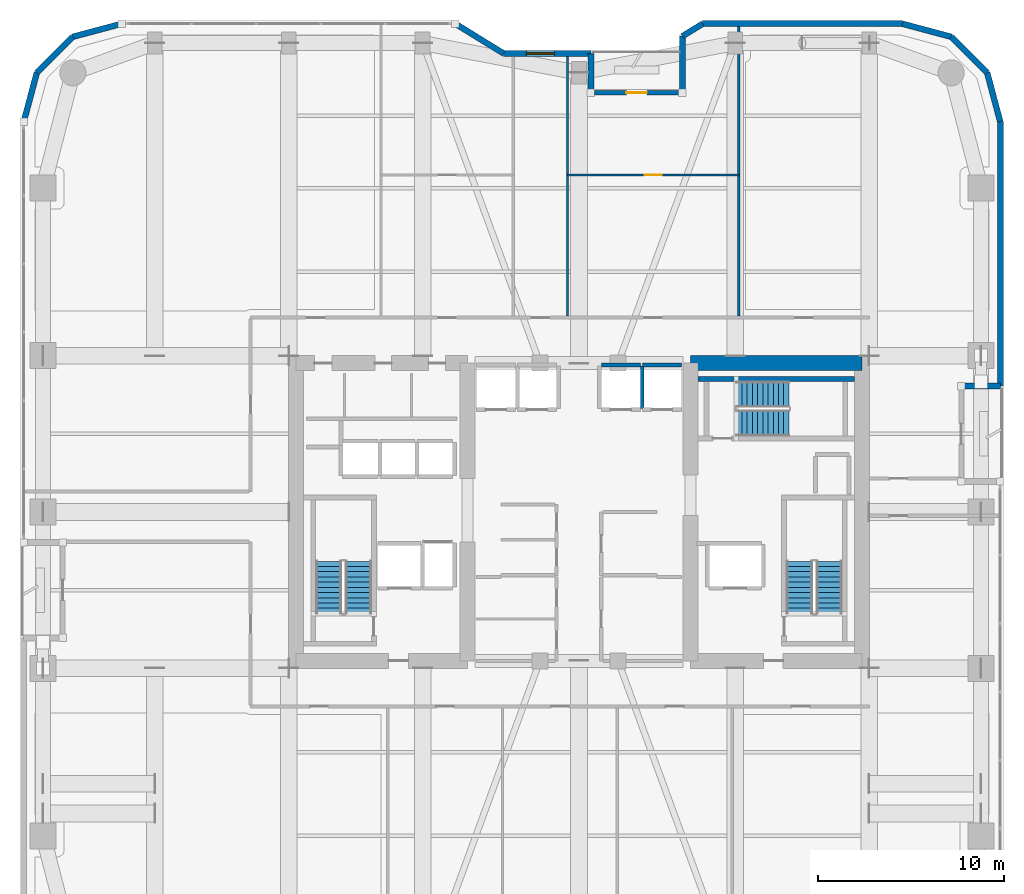
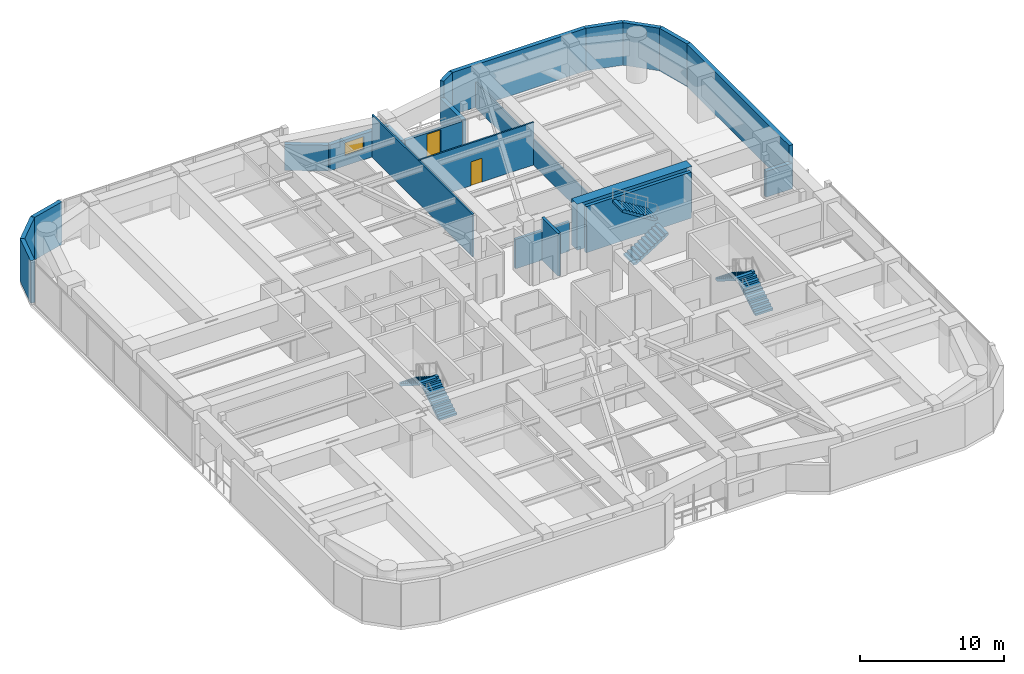
# One storey, part 22 of 25: 23 walls, 6 stair flights, 2 doors, 1 window, 3 openings, 3 elements without a shape of their own.
"""IFC4 building model written with IfcOpenShell, lengths in metres."""

from ifc_helpers import new_model, si_unit, direction, frame, frame_2d, origin, place, context, subcontext, project, spatial, polyline, rectangle, outline, extrude, material, layer, layer_set, type_object, element, fill, aggregate, save


model = new_model("IFC4")

# Units and contexts
model_context = context("Model", 3, precision=1e-05, world=origin(), true_north=direction((0.0, 1.0)))
body_context = subcontext(model_context, "Body", "Model", "MODEL_VIEW")
ifc_project = project(units=[si_unit("LENGTHUNIT", "METRE"), si_unit("AREAUNIT", "SQUARE_METRE"), si_unit("VOLUMEUNIT", "CUBIC_METRE"), si_unit("PLANEANGLEUNIT", "RADIAN"), si_unit("MASSUNIT", "GRAM", prefix="KILO")], contexts=[model_context])

# Site, building, storey
site_placement = place(None, origin())
site = spatial("IfcSite", under=ifc_project, at=site_placement, CompositionType="ELEMENT")
building_placement = place(site_placement, origin())
building = spatial("IfcBuilding", under=site, at=building_placement, Name="Kiyonajd Concourse Tower", CompositionType="ELEMENT")
storey_placement = place(building_placement, frame((0.0, 0.0, 141.60009765625)))
storey = spatial("IfcBuildingStorey", under=building, at=storey_placement, Name="L36", CompositionType="ELEMENT", Elevation=141.60009765625)

# Walls
ifc_material_1 = material(Name="Concrete C70/85", Category="concrete")
ifc_layer_1 = layer(ifc_material_1, 0.800048828125)
ifc_layer_set_1 = layer_set([ifc_layer_1], Name="Concrete C70/85")
wall_type_1 = type_object("IfcWallType", Name="WL-CORE-800", PredefinedType="SHEAR", material=ifc_layer_set_1)
wall_1_placement = place(storey_placement, frame((54.0, 44.0, 0.0), z_axis=(0.0, 0.0, 1.0), x_axis=(1.0, 0.0, 0.0)))
element("IfcWall", 1, at=wall_1_placement, inside=storey, type_object=wall_type_1, Name="L36 East Core North Shear Wall", PredefinedType="SHEAR", context=body_context, shape_type="SweptSolid", body=[
    extrude(rectangle(XDim=9.199951171875, YDim=0.800048828125, at=frame_2d((4.60009765625, 0.0))), origin(), (0.0, 0.0, 1.0), 3.89990234375),
])
ifc_material_2 = material(Name="Precast concrete C50/60", Category="concrete")
ifc_layer_2 = layer(ifc_material_2, 0.320068359375)
ifc_layer_set_2 = layer_set([ifc_layer_2], Name="Precast concrete C50/60")
wall_type_2 = type_object("IfcWallType", Name="WL-EXT-320", PredefinedType="SOLIDWALL", material=ifc_layer_set_2)
wall_2_placement = place(storey_placement, frame((18.159912109375, 56.97900390625, 0.0), z_axis=(0.0, 0.0, 1.0), x_axis=(0.25869736047, 0.965958423373, 0.0)))
element("IfcWall", 2, at=wall_2_placement, inside=storey, type_object=wall_type_2, Name="L36 Exterior Concrete Frame Wall 06", PredefinedType="SOLIDWALL", context=body_context, shape_type="SweptSolid", body=[
    extrude(rectangle(XDim=2.731201171875, YDim=0.320068359375, at=frame_2d((1.36572265625, 0.0))), origin(), (0.0, 0.0, 1.0), 3.599853515625),
])
wall_3_placement = place(storey_placement, frame((18.866455078125, 59.6171875, 0.0), z_axis=(0.0, 0.0, 1.0), x_axis=(0.707106781187, 0.707106781187, 0.0)))
element("IfcWall", 3, at=wall_3_placement, inside=storey, type_object=wall_type_2, Name="L36 Exterior Concrete Frame Wall 07", PredefinedType="SOLIDWALL", context=body_context, shape_type="SweptSolid", body=[
    extrude(rectangle(XDim=2.7099609375, YDim=0.320068359375, at=frame_2d((1.35498046875, 0.0))), origin(), (0.0, 0.0, 1.0), 3.599853515625),
])
wall_4_placement = place(storey_placement, frame((20.78271484375, 61.533447265625, 0.0), z_axis=(0.0, 0.0, 1.0), x_axis=(0.965964405026, 0.25867502435, 0.0)))
element("IfcWall", 4, at=wall_4_placement, inside=storey, type_object=wall_type_2, Name="L36 Exterior Concrete Frame Wall 08", PredefinedType="SOLIDWALL", context=body_context, shape_type="SweptSolid", body=[
    extrude(rectangle(XDim=2.7314453125, YDim=0.320068359375, at=frame_2d((1.36572265625, 0.0))), origin(), (0.0, 0.0, 1.0), 3.599853515625),
])
wall_5_placement = place(storey_placement, frame((41.354736328125, 62.239990234375, 0.0), z_axis=(0.0, 0.0, 1.0), x_axis=(0.851630857047, -0.524142044989, 0.0)))
element("IfcWall", 5, at=wall_5_placement, inside=storey, type_object=wall_type_2, Name="L36 Exterior Concrete Frame Wall 10", PredefinedType="SOLIDWALL", context=body_context, shape_type="SweptSolid", body=[
    extrude(rectangle(XDim=3.052734375, YDim=0.320068359375, at=frame_2d((1.5263671875, 0.0))), origin(), (0.0, 0.0, 1.0), 2.184814453125),
])

# Wall, opening, window
wall_6_placement = place(storey_placement, frame((43.95458984375, 60.639892578125, 0.0), z_axis=(0.0, 0.0, 1.0), x_axis=(1.0, 0.0, 0.0)))
wall_6 = element("IfcWall", 6, at=wall_6_placement, inside=storey, type_object=wall_type_2, Name="L36 Exterior Concrete Frame Wall 11", PredefinedType="SOLIDWALL", context=body_context, shape_type="SweptSolid", body=[
    extrude(rectangle(XDim=4.685302734375, YDim=0.320068359375, at=frame_2d((2.3427734375, 0.0))), origin(), (0.0, 0.0, 1.0), 2.184814453125),
])
opening_1_placement = place(wall_6_placement, frame((1.219970703125, 0.0, 0.85009765625)))
opening_1 = element("IfcOpeningElement", 7, at=opening_1_placement, cuts=wall_6, Name="Opening WN2", PredefinedType="OPENING", context=body_context, shape_type="SweptSolid", body=[
    extrude(rectangle(XDim=1.5, YDim=1.10009765625, at=frame_2d((0.75, 0.550048828125))), frame((0.0, 0.169921875, 0.0), z_axis=(0.0, -1.0, 0.0), x_axis=(1.0, 0.0, 0.0)), (0.0, 0.0, 1.0), 0.340087890625),
])
ifc_material_3 = material(Name="Double Low-E Insulated Glass", Category="glass")
window_type = type_object("IfcWindowType", Name="WN-VIS-1500x1100", PartitioningType="SINGLE_PANEL", PredefinedType="WINDOW", material=ifc_material_3)
window_placement = place(opening_1_placement, origin())
window = element("IfcWindow", 8, at=window_placement, inside=storey, type_object=window_type, Name="L36 Modular Facade Vision Window 11", OverallHeight=1.10009765625, OverallWidth=1.5, PartitioningType="SINGLE_PANEL", PredefinedType="WINDOW", context=body_context, shape_type="SweptSolid", body=[
    extrude(rectangle(XDim=1.5, YDim=1.10009765625, at=frame_2d((0.75, 0.550048828125))), frame((0.0, 0.030029296875, 0.0), z_axis=(0.0, -1.0, 0.0), x_axis=(1.0, 0.0, 0.0)), (0.0, 0.0, 1.0), 0.06005859375),
])
fill(opening_1, window)

# Walls
wall_7_placement = place(storey_placement, frame((48.639892578125, 60.639892578125, 0.0), z_axis=(0.0, 0.0, 1.0), x_axis=(0.0, -1.0, 0.0)))
element("IfcWall", 9, at=wall_7_placement, inside=storey, type_object=wall_type_2, Name="L36 Exterior Concrete Frame Wall 12", PredefinedType="SOLIDWALL", context=body_context, shape_type="SweptSolid", body=[
    extrude(rectangle(XDim=2.099853515625, YDim=0.320068359375, at=frame_2d((1.0498046875, 0.0))), origin(), (0.0, 0.0, 1.0), 2.135009765625),
])
wall_8_placement = place(storey_placement, frame((53.56005859375, 58.5400390625, 0.0), z_axis=(0.0, 0.0, 1.0), x_axis=(0.0, 1.0, 0.0)))
element("IfcWall", 10, at=wall_8_placement, inside=storey, type_object=wall_type_2, Name="L36 Exterior Concrete Frame Wall 14", PredefinedType="SOLIDWALL", context=body_context, shape_type="SweptSolid", body=[
    extrude(rectangle(XDim=3.032470703125, YDim=0.320068359375, at=frame_2d((1.51611328125, 0.0))), origin(), (0.0, 0.0, 1.0), 2.184814453125),
])
wall_9_placement = place(storey_placement, frame((53.56005859375, 61.572509765625, 0.0), z_axis=(0.0, 0.0, 1.0), x_axis=(0.851776724646, 0.523904964045, 0.0)))
element("IfcWall", 11, at=wall_9_placement, inside=storey, type_object=wall_type_2, Name="L36 Exterior Concrete Frame Wall 15", PredefinedType="SOLIDWALL", context=body_context, shape_type="SweptSolid", body=[
    extrude(rectangle(XDim=1.274169921875, YDim=0.320068359375, at=frame_2d((0.63720703125, 0.0))), origin(), (0.0, 0.0, 1.0), 3.599853515625),
])
wall_10_placement = place(storey_placement, frame((54.645263671875, 62.239990234375, 0.0), z_axis=(0.0, 0.0, 1.0), x_axis=(1.0, 0.0, 0.0)))
element("IfcWall", 12, at=wall_10_placement, inside=storey, type_object=wall_type_2, Name="L36 Exterior Concrete Frame Wall 16", PredefinedType="SOLIDWALL", context=body_context, shape_type="SweptSolid", body=[
    extrude(rectangle(XDim=10.733642578125, YDim=0.320068359375, at=frame_2d((5.36669921875, 0.0))), origin(), (0.0, 0.0, 1.0), 3.599853515625),
])
wall_11_placement = place(storey_placement, frame((65.37890625, 62.239990234375, 0.0), z_axis=(0.0, 0.0, 1.0), x_axis=(0.965958423373, -0.25869736047, 0.0)))
element("IfcWall", 13, at=wall_11_placement, inside=storey, type_object=wall_type_2, Name="L36 Exterior Concrete Frame Wall 17", PredefinedType="SOLIDWALL", context=body_context, shape_type="SweptSolid", body=[
    extrude(rectangle(XDim=2.731201171875, YDim=0.320068359375, at=frame_2d((1.36572265625, 0.0))), origin(), (0.0, 0.0, 1.0), 3.599853515625),
])
wall_12_placement = place(storey_placement, frame((68.01708984375, 61.533447265625, 0.0), z_axis=(0.0, 0.0, 1.0), x_axis=(0.707151821269, -0.707061738235, 0.0)))
element("IfcWall", 14, at=wall_12_placement, inside=storey, type_object=wall_type_2, Name="L36 Exterior Concrete Frame Wall 18", PredefinedType="SOLIDWALL", context=body_context, shape_type="SweptSolid", body=[
    extrude(rectangle(XDim=2.710205078125, YDim=0.320068359375, at=frame_2d((1.35498046875, 0.0))), origin(), (0.0, 0.0, 1.0), 3.599853515625),
])
wall_13_placement = place(storey_placement, frame((69.93359375, 59.6171875, 0.0), z_axis=(0.0, 0.0, 1.0), x_axis=(0.258613949072, -0.965980758269, 0.0)))
element("IfcWall", 15, at=wall_13_placement, inside=storey, type_object=wall_type_2, Name="L36 Exterior Concrete Frame Wall 19", PredefinedType="SOLIDWALL", context=body_context, shape_type="SweptSolid", body=[
    extrude(rectangle(XDim=2.731201171875, YDim=0.320068359375, at=frame_2d((1.36572265625, 0.0))), origin(), (0.0, 0.0, 1.0), 3.599853515625),
])
wall_14_placement = place(storey_placement, frame((70.639892578125, 56.97900390625, 0.0), z_axis=(0.0, 0.0, 1.0), x_axis=(0.0, -1.0, 0.0)))
element("IfcWall", 16, at=wall_14_placement, inside=storey, type_object=wall_type_2, Name="L36 Exterior Concrete Frame Wall 20", PredefinedType="SOLIDWALL", context=body_context, shape_type="SweptSolid", body=[
    extrude(rectangle(XDim=14.218994140625, YDim=0.320068359375, at=frame_2d((7.109375, 0.0))), origin(), (0.0, 0.0, 1.0), 3.599853515625),
])
wall_15_placement = place(storey_placement, frame((70.639892578125, 42.760009765625, 0.0), z_axis=(0.0, 0.0, 1.0), x_axis=(-1.0, 0.0, 0.0)))
element("IfcWall", 17, at=wall_15_placement, inside=storey, type_object=wall_type_2, Name="L36 Exterior Concrete Frame Wall 21", PredefinedType="SOLIDWALL", context=body_context, shape_type="SweptSolid", body=[
    extrude(rectangle(XDim=2.099853515625, YDim=0.320068359375, at=frame_2d((1.0498046875, 0.0))), origin(), (0.0, 0.0, 1.0), 2.184814453125),
])

# Wall, opening, door
ifc_layer_3 = layer(ifc_material_2, 0.239990234375)
ifc_layer_set_3 = layer_set([ifc_layer_3], Name="Precast concrete C50/60")
wall_type_3 = type_object("IfcWallType", Name="WL-LOG-240", PredefinedType="SOLIDWALL", material=ifc_layer_set_3)
wall_16_placement = place(storey_placement, frame((48.8349609375, 58.5400390625, 0.0), z_axis=(0.0, 0.0, 1.0), x_axis=(1.0, 0.0, 0.0)))
wall_16 = element("IfcWall", 18, at=wall_16_placement, inside=storey, type_object=wall_type_3, Name="L36 Recessed Loggia Thermal Wall LOG-N", PredefinedType="SOLIDWALL", context=body_context, shape_type="SweptSolid", body=[
    extrude(rectangle(XDim=4.530029296875, YDim=0.239990234375, at=frame_2d((2.26513671875, 0.0))), origin(), (0.0, 0.0, 1.0), 2.135009765625),
])
opening_2_placement = place(wall_16_placement, frame((1.715087890625, 0.0, 0.0)))
opening_2 = element("IfcOpeningElement", 19, at=opening_2_placement, cuts=wall_16, Name="Opening DL2", PredefinedType="OPENING", context=body_context, shape_type="SweptSolid", body=[
    extrude(rectangle(XDim=1.10009765625, YDim=2.0400390625, at=frame_2d((0.550048828125, 1.02001953125))), frame((0.0, 0.1298828125, 0.0), z_axis=(0.0, -1.0, 0.0), x_axis=(1.0, 0.0, 0.0)), (0.0, 0.0, 1.0), 0.260009765625),
])
ifc_material_4 = material(Name="Thermally Broken Anodised Aluminium", Category="aluminium")
door_type_1 = type_object("IfcDoorType", Name="DR-LOG-1100", OperationType="NOTDEFINED", PredefinedType="DOOR", material=ifc_material_4)
door_1_placement = place(opening_2_placement, origin())
door_1 = element("IfcDoor", 20, at=door_1_placement, inside=storey, type_object=door_type_1, Name="L36 Engawa Loggia Access Door LOG-N", OperationType="SINGLE_SWING_RIGHT", OverallHeight=2.0400390625, OverallWidth=1.10009765625, PredefinedType="DOOR", context=body_context, shape_type="SweptSolid", body=[
    extrude(rectangle(XDim=1.10009765625, YDim=2.0400390625, at=frame_2d((0.550048828125, 1.02001953125))), frame((0.0, 0.02490234375, 0.0), z_axis=(0.0, -1.0, 0.0), x_axis=(1.0, 0.0, 0.0)), (0.0, 0.0, 1.0), 0.050048828125),
])
fill(opening_2, door_1)

ifc_material_5 = material(Name="Gypsum Board on Cold-Formed Steel Stud", Category="steel")
ifc_layer_4 = layer(ifc_material_5, 0.125)
ifc_layer_set_4 = layer_set([ifc_layer_4], Name="Gypsum Board on Cold-Formed Steel Stud")
wall_type_4 = type_object("IfcWallType", Name="WL-PART-125", PredefinedType="PARTITIONING", material=ifc_layer_set_4)
wall_17_placement = place(storey_placement, frame((47.3798828125, 54.110107421875, 0.0), z_axis=(0.0, 0.0, 1.0), x_axis=(1.0, 0.0, 0.0)))
wall_17 = element("IfcWall", 21, at=wall_17_placement, inside=storey, type_object=wall_type_4, Name="L36 Interior Partition Wall", PredefinedType="PARTITIONING", context=body_context, shape_type="SweptSolid", body=[
    extrude(rectangle(XDim=9.210205078125, YDim=0.125, at=frame_2d((4.60498046875, 0.0))), origin(), (0.0, 0.0, 1.0), 3.599853515625),
])
opening_3_placement = place(wall_17_placement, frame((4.155029296875, 0.0, 0.0)))
opening_3 = element("IfcOpeningElement", 22, at=opening_3_placement, cuts=wall_17, Name="Opening DI2", PredefinedType="OPENING", context=body_context, shape_type="SweptSolid", body=[
    extrude(rectangle(XDim=0.89990234375, YDim=2.02001953125, at=frame_2d((0.449951171875, 1.010009765625))), frame((0.0, 0.072509765625, 0.0), z_axis=(0.0, -1.0, 0.0), x_axis=(1.0, 0.0, 0.0)), (0.0, 0.0, 1.0), 0.14501953125),
])
ifc_material_6 = material(Name="Natural Oak Acoustic Timber Veneer", Category="wood")
door_type_2 = type_object("IfcDoorType", Name="DR-INT-900", OperationType="NOTDEFINED", PredefinedType="DOOR", material=ifc_material_6)
door_2_placement = place(opening_3_placement, origin())
door_2 = element("IfcDoor", 23, at=door_2_placement, inside=storey, type_object=door_type_2, Name="L36 Interior Door", OperationType="SINGLE_SWING_LEFT", OverallHeight=2.02001953125, OverallWidth=0.89990234375, PredefinedType="DOOR", context=body_context, shape_type="SweptSolid", body=[
    extrude(rectangle(XDim=0.89990234375, YDim=2.02001953125, at=frame_2d((0.449951171875, 1.010009765625))), frame((0.0, 0.02490234375, 0.0), z_axis=(0.0, -1.0, 0.0), x_axis=(1.0, 0.0, 0.0)), (0.0, 0.0, 1.0), 0.050048828125),
])
fill(opening_3, door_2)

# Walls
wall_18_placement = place(storey_placement, frame((47.3798828125, 46.537109375, 0.0), z_axis=(0.0, 0.0, 1.0), x_axis=(0.0, 1.0, 0.0)))
element("IfcWall", 24, at=wall_18_placement, inside=storey, type_object=wall_type_4, Name="L36 Interior Partition Wall", PredefinedType="PARTITIONING", context=body_context, shape_type="SweptSolid", body=[
    extrude(rectangle(XDim=13.947998046875, YDim=0.125, at=frame_2d((6.97412109375, 0.0))), origin(), (0.0, 0.0, 1.0), 3.599853515625),
])
wall_19_placement = place(storey_placement, frame((56.590087890625, 46.537109375, 0.0), z_axis=(0.0, 0.0, 1.0), x_axis=(0.0, 1.0, 0.0)))
element("IfcWall", 25, at=wall_19_placement, inside=storey, type_object=wall_type_4, Name="L36 Interior Partition Wall", PredefinedType="PARTITIONING", context=body_context, shape_type="SweptSolid", body=[
    extrude(rectangle(XDim=15.5478515625, YDim=0.125, at=frame_2d((7.77392578125, 0.0))), origin(), (0.0, 0.0, 1.0), 2.135009765625),
])
ifc_layer_5 = layer(ifc_material_5, 0.2099609375)
ifc_layer_set_5 = layer_set([ifc_layer_5], Name="Gypsum Board on Cold-Formed Steel Stud")
wall_type_5 = type_object("IfcWallType", Name="WL-SHAFT-210", PredefinedType="PARTITIONING", material=ifc_layer_set_5)
wall_20_placement = place(storey_placement, frame((49.199951171875, 43.89990234375, 0.0), z_axis=(0.0, 0.0, 1.0), x_axis=(1.0, 0.0, 0.0)))
element("IfcWall", 26, at=wall_20_placement, inside=storey, type_object=wall_type_5, Name="L36 Shaft Enclosure Wall", PredefinedType="PARTITIONING", context=body_context, shape_type="SweptSolid", body=[
    extrude(rectangle(XDim=2.10009765625, YDim=0.2099609375, at=frame_2d((1.050048828125, 0.0))), origin(), (0.0, 0.0, 1.0), 2.48486328125),
])
wall_21_placement = place(storey_placement, frame((51.39990234375, 41.56005859375, 0.0), z_axis=(0.0, 0.0, 1.0), x_axis=(0.0, 1.0, 0.0)))
element("IfcWall", 27, at=wall_21_placement, inside=storey, type_object=wall_type_5, Name="L36 Shaft Enclosure Wall", PredefinedType="PARTITIONING", context=body_context, shape_type="SweptSolid", body=[
    extrude(rectangle(XDim=2.280029296875, YDim=0.2099609375, at=frame_2d((1.14013671875, 0.0))), origin(), (0.0, 0.0, 1.0), 3.599853515625),
])
wall_22_placement = place(storey_placement, frame((51.39990234375, 43.89990234375, 0.0), z_axis=(0.0, 0.0, 1.0), x_axis=(1.0, 0.0, 0.0)))
element("IfcWall", 28, at=wall_22_placement, inside=storey, type_object=wall_type_5, Name="L36 Shaft Enclosure Wall", PredefinedType="PARTITIONING", context=body_context, shape_type="SweptSolid", body=[
    extrude(rectangle(XDim=2.10009765625, YDim=0.2099609375, at=frame_2d((1.050048828125, 0.0))), origin(), (0.0, 0.0, 1.0), 2.48486328125),
])
ifc_material_7 = material(Name="Concrete C50/60", Category="concrete")
ifc_layer_6 = layer(ifc_material_7, 0.260009765625)
ifc_layer_set_6 = layer_set([ifc_layer_6], Name="Concrete C50/60")
wall_type_6 = type_object("IfcWallType", Name="WL-STAIR-260", PredefinedType="SHEAR", material=ifc_layer_set_6)
wall_23_placement = place(storey_placement, frame((54.39990234375, 43.14990234375, 0.0), z_axis=(0.0, 0.0, 1.0), x_axis=(1.0, 0.0, 0.0)))
element("IfcWall", 29, at=wall_23_placement, inside=storey, type_object=wall_type_6, Name="L36 Stair ST3 Structural North Wall", PredefinedType="SHEAR", context=body_context, shape_type="SweptSolid", body=[
    extrude(rectangle(XDim=8.400146484375, YDim=0.260009765625, at=frame_2d((4.2001953125, 0.0))), origin(), (0.0, 0.0, 1.0), 3.89990234375),
])

# Stair, stair flights
ifc_material_8 = material(Name="Concrete C40/50", Category="concrete")
stair_type = type_object("IfcStairType", Name="ST-DLG-22R", PredefinedType="HALF_TURN_STAIR", material=ifc_material_8)
stair_1_placement = place(storey_placement, origin())
stair_1 = element("IfcStair", 30, at=stair_1_placement, inside=storey, type_object=stair_type, Name="L36 Protected Exit Stair ST1", PredefinedType="HALF_TURN_STAIR")
stair_flight_type = type_object("IfcStairFlightType", Name="SF-STR-22R", PredefinedType="STRAIGHT", material=ifc_material_8)
stair_flight_1_placement = place(storey_placement, frame((36.14990234375, 30.550048828125, 0.0), z_axis=(0.0, 0.0, 1.0), x_axis=(0.0, 1.0, 0.0)))
stair_flight_1 = element("IfcStairFlight", 31, at=stair_flight_1_placement, type_object=stair_flight_type, Name="ST1 flight 1", NumberOfRisers=11, NumberOfTreads=10, PredefinedType="STRAIGHT", RiserHeight=0.177272727, TreadLength=0.28, context=body_context, shape_type="SweptSolid", body=[
    extrude(outline(polyline([(0.0, 0.0), (0.0, 0.17724609375), (0.280029296875, 0.17724609375), (0.280029296875, 0.3544921875), (0.56005859375, 0.3544921875), (0.56005859375, 0.53173828125), (0.840087890625, 0.53173828125), (0.840087890625, 0.708984375), (1.1201171875, 0.708984375), (1.1201171875, 0.886474609375), (1.39990234375, 0.886474609375), (1.39990234375, 1.063720703125), (1.679931640625, 1.063720703125), (1.679931640625, 1.240966796875), (1.9599609375, 1.240966796875), (1.9599609375, 1.418212890625), (2.239990234375, 1.418212890625), (2.239990234375, 1.595458984375), (2.52001953125, 1.595458984375), (2.52001953125, 1.772705078125), (2.800048828125, 1.772705078125), (2.800048828125, 1.949951171875), (2.800048828125, 1.59521484375), (0.2802734375, 0.0), (0.0, 0.0)])), frame((0.0, 0.699951171875, 0.0), z_axis=(0.0, -1.0, 0.0), x_axis=(1.0, 0.0, 0.0)), (0.0, 0.0, 1.0), 1.39990234375),
])
stair_flight_2_placement = place(storey_placement, frame((34.550048828125, 33.35009765625, 1.949951171875), z_axis=(0.0, 0.0, 1.0), x_axis=(0.0, -1.0, 0.0)))
stair_flight_2 = element("IfcStairFlight", 32, at=stair_flight_2_placement, type_object=stair_flight_type, Name="ST1 flight 2", NumberOfRisers=11, NumberOfTreads=10, PredefinedType="STRAIGHT", RiserHeight=0.177272727, TreadLength=0.28, context=body_context, shape_type="SweptSolid", body=[
    extrude(outline(polyline([(0.0, 0.0), (0.0, 0.17724609375), (0.280029296875, 0.17724609375), (0.280029296875, 0.3544921875), (0.56005859375, 0.3544921875), (0.56005859375, 0.53173828125), (0.840087890625, 0.53173828125), (0.840087890625, 0.708984375), (1.1201171875, 0.708984375), (1.1201171875, 0.886474609375), (1.39990234375, 0.886474609375), (1.39990234375, 1.063720703125), (1.679931640625, 1.063720703125), (1.679931640625, 1.240966796875), (1.9599609375, 1.240966796875), (1.9599609375, 1.418212890625), (2.239990234375, 1.418212890625), (2.239990234375, 1.595458984375), (2.52001953125, 1.595458984375), (2.52001953125, 1.772705078125), (2.800048828125, 1.772705078125), (2.800048828125, 1.949951171875), (2.800048828125, 1.59521484375), (0.2802734375, 0.0), (0.0, 0.0)])), frame((0.0, 0.699951171875, 0.0), z_axis=(0.0, -1.0, 0.0), x_axis=(1.0, 0.0, 0.0)), (0.0, 0.0, 1.0), 1.39990234375),
])
aggregate(stair_1, [stair_flight_1, stair_flight_2])

stair_2_placement = place(storey_placement, origin())
stair_2 = element("IfcStair", 33, at=stair_2_placement, inside=storey, type_object=stair_type, Name="L36 Protected Exit Stair ST2", PredefinedType="HALF_TURN_STAIR")
stair_flight_3_placement = place(storey_placement, frame((61.449951171875, 30.550048828125, 0.0), z_axis=(0.0, 0.0, 1.0), x_axis=(0.0, 1.0, 0.0)))
stair_flight_3 = element("IfcStairFlight", 34, at=stair_flight_3_placement, type_object=stair_flight_type, Name="ST2 flight 1", NumberOfRisers=11, NumberOfTreads=10, PredefinedType="STRAIGHT", RiserHeight=0.177272727, TreadLength=0.28, context=body_context, shape_type="SweptSolid", body=[
    extrude(outline(polyline([(0.0, 0.0), (0.0, 0.17724609375), (0.280029296875, 0.17724609375), (0.280029296875, 0.3544921875), (0.56005859375, 0.3544921875), (0.56005859375, 0.53173828125), (0.840087890625, 0.53173828125), (0.840087890625, 0.708984375), (1.1201171875, 0.708984375), (1.1201171875, 0.886474609375), (1.39990234375, 0.886474609375), (1.39990234375, 1.063720703125), (1.679931640625, 1.063720703125), (1.679931640625, 1.240966796875), (1.9599609375, 1.240966796875), (1.9599609375, 1.418212890625), (2.239990234375, 1.418212890625), (2.239990234375, 1.595458984375), (2.52001953125, 1.595458984375), (2.52001953125, 1.772705078125), (2.800048828125, 1.772705078125), (2.800048828125, 1.949951171875), (2.800048828125, 1.59521484375), (0.2802734375, 0.0), (0.0, 0.0)])), frame((0.0, 0.699951171875, 0.0), z_axis=(0.0, -1.0, 0.0), x_axis=(1.0, 0.0, 0.0)), (0.0, 0.0, 1.0), 1.39990234375),
])
stair_flight_4_placement = place(storey_placement, frame((59.85009765625, 33.35009765625, 1.949951171875), z_axis=(0.0, 0.0, 1.0), x_axis=(0.0, -1.0, 0.0)))
stair_flight_4 = element("IfcStairFlight", 35, at=stair_flight_4_placement, type_object=stair_flight_type, Name="ST2 flight 2", NumberOfRisers=11, NumberOfTreads=10, PredefinedType="STRAIGHT", RiserHeight=0.177272727, TreadLength=0.28, context=body_context, shape_type="SweptSolid", body=[
    extrude(outline(polyline([(0.0, 0.0), (0.0, 0.17724609375), (0.280029296875, 0.17724609375), (0.280029296875, 0.3544921875), (0.56005859375, 0.3544921875), (0.56005859375, 0.53173828125), (0.840087890625, 0.53173828125), (0.840087890625, 0.708984375), (1.1201171875, 0.708984375), (1.1201171875, 0.886474609375), (1.39990234375, 0.886474609375), (1.39990234375, 1.063720703125), (1.679931640625, 1.063720703125), (1.679931640625, 1.240966796875), (1.9599609375, 1.240966796875), (1.9599609375, 1.418212890625), (2.239990234375, 1.418212890625), (2.239990234375, 1.595458984375), (2.52001953125, 1.595458984375), (2.52001953125, 1.772705078125), (2.800048828125, 1.772705078125), (2.800048828125, 1.949951171875), (2.800048828125, 1.59521484375), (0.2802734375, 0.0), (0.0, 0.0)])), frame((0.0, 0.699951171875, 0.0), z_axis=(0.0, -1.0, 0.0), x_axis=(1.0, 0.0, 0.0)), (0.0, 0.0, 1.0), 1.39990234375),
])
aggregate(stair_2, [stair_flight_3, stair_flight_4])

stair_3_placement = place(storey_placement, origin())
stair_3 = element("IfcStair", 36, at=stair_3_placement, inside=storey, type_object=stair_type, Name="L36 Protected Exit Stair ST3", PredefinedType="HALF_TURN_STAIR")
stair_flight_5_placement = place(storey_placement, frame((56.47998046875, 40.780029296875, 0.0), z_axis=(0.0, 0.0, 1.0), x_axis=(1.0, 0.0, 0.0)))
stair_flight_5 = element("IfcStairFlight", 37, at=stair_flight_5_placement, type_object=stair_flight_type, Name="ST3 flight 1", NumberOfRisers=11, NumberOfTreads=10, PredefinedType="STRAIGHT", RiserHeight=0.177272727, TreadLength=0.28, context=body_context, shape_type="SweptSolid", body=[
    extrude(outline(polyline([(0.0, 0.0), (0.0, 0.17724609375), (0.280029296875, 0.17724609375), (0.280029296875, 0.3544921875), (0.56005859375, 0.3544921875), (0.56005859375, 0.53173828125), (0.840087890625, 0.53173828125), (0.840087890625, 0.708984375), (1.1201171875, 0.708984375), (1.1201171875, 0.886474609375), (1.39990234375, 0.886474609375), (1.39990234375, 1.063720703125), (1.679931640625, 1.063720703125), (1.679931640625, 1.240966796875), (1.9599609375, 1.240966796875), (1.9599609375, 1.418212890625), (2.239990234375, 1.418212890625), (2.239990234375, 1.595458984375), (2.52001953125, 1.595458984375), (2.52001953125, 1.772705078125), (2.800048828125, 1.772705078125), (2.800048828125, 1.949951171875), (2.800048828125, 1.59521484375), (0.2802734375, 0.0), (0.0, 0.0)])), frame((0.0, 0.699951171875, 0.0), z_axis=(0.0, -1.0, 0.0), x_axis=(1.0, 0.0, 0.0)), (0.0, 0.0, 1.0), 1.39990234375),
])
stair_flight_6_placement = place(storey_placement, frame((59.280029296875, 42.320068359375, 1.949951171875), z_axis=(0.0, 0.0, 1.0), x_axis=(-1.0, 0.0, 0.0)))
stair_flight_6 = element("IfcStairFlight", 38, at=stair_flight_6_placement, type_object=stair_flight_type, Name="ST3 flight 2", NumberOfRisers=11, NumberOfTreads=10, PredefinedType="STRAIGHT", RiserHeight=0.177272727, TreadLength=0.28, context=body_context, shape_type="SweptSolid", body=[
    extrude(outline(polyline([(0.0, 0.0), (0.0, 0.17724609375), (0.280029296875, 0.17724609375), (0.280029296875, 0.3544921875), (0.56005859375, 0.3544921875), (0.56005859375, 0.53173828125), (0.840087890625, 0.53173828125), (0.840087890625, 0.708984375), (1.1201171875, 0.708984375), (1.1201171875, 0.886474609375), (1.39990234375, 0.886474609375), (1.39990234375, 1.063720703125), (1.679931640625, 1.063720703125), (1.679931640625, 1.240966796875), (1.9599609375, 1.240966796875), (1.9599609375, 1.418212890625), (2.239990234375, 1.418212890625), (2.239990234375, 1.595458984375), (2.52001953125, 1.595458984375), (2.52001953125, 1.772705078125), (2.800048828125, 1.772705078125), (2.800048828125, 1.949951171875), (2.800048828125, 1.59521484375), (0.2802734375, 0.0), (0.0, 0.0)])), frame((0.0, 0.699951171875, 0.0), z_axis=(0.0, -1.0, 0.0), x_axis=(1.0, 0.0, 0.0)), (0.0, 0.0, 1.0), 1.39990234375),
])
aggregate(stair_3, [stair_flight_5, stair_flight_6])

save(model, "model.ifc")
